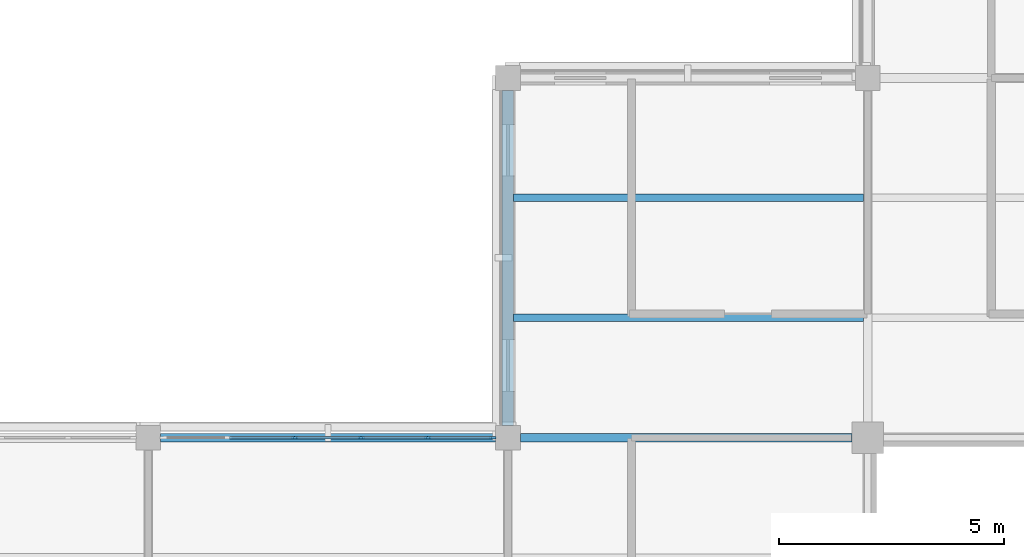
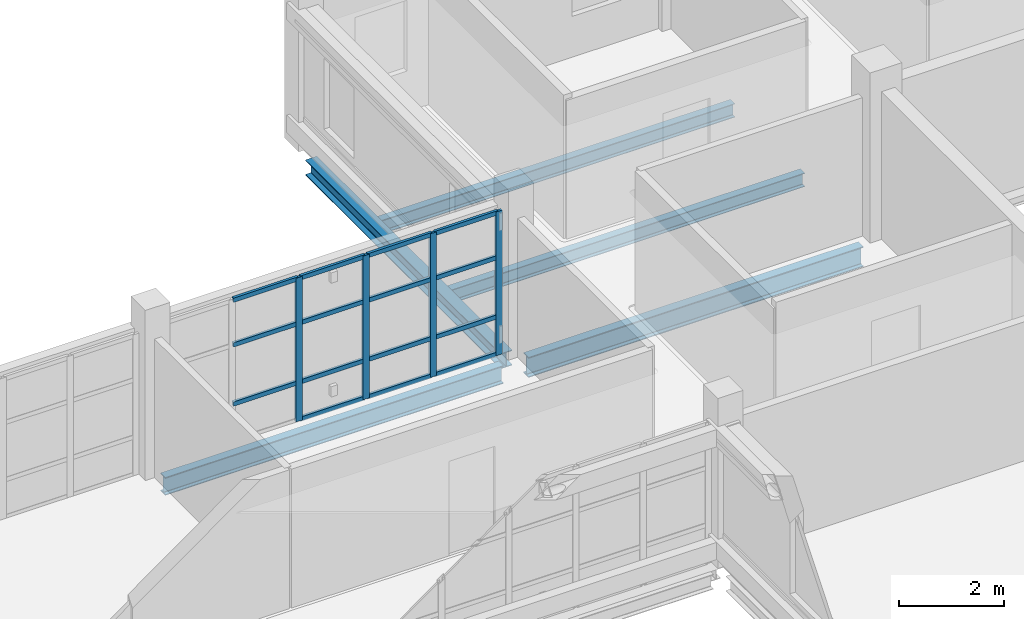
# One storey, part 13 of 92: 19 members, 5 beams, 1 element without a shape of its own.
"""IFC4 building model written with IfcOpenShell, lengths in metres."""

from ifc_helpers import new_model, si_unit, derived_unit, direction, frame, origin, origin_2d, place, context, subcontext, project, spatial, rectangle, i_section, extrude, material, layer, layer_set, material_profile, profile_set, type_object, element, aggregate, save


model = new_model("IFC4")

# Units and contexts
model_context = context("Model", 3, precision=1e-05, world=origin(), true_north=direction((0.0, 1.0)))
body_context = subcontext(model_context, "Body", "Model", "MODEL_VIEW")
ifc_project = project(units=[si_unit("LENGTHUNIT", "METRE"), si_unit("AREAUNIT", "SQUARE_METRE"), si_unit("VOLUMEUNIT", "CUBIC_METRE"), si_unit("PLANEANGLEUNIT", "RADIAN"), si_unit("MASSUNIT", "GRAM", prefix="KILO"), derived_unit("THERMALTRANSMITTANCEUNIT", [(si_unit("MASSUNIT", "GRAM", prefix="KILO"), 1), (si_unit("TIMEUNIT", "SECOND"), -3), (si_unit("THERMODYNAMICTEMPERATUREUNIT", "KELVIN"), -1)])], contexts=[model_context])

# Site, building, storey
site_placement = place(None, origin())
site = spatial("IfcSite", under=ifc_project, at=site_placement, CompositionType="ELEMENT")
building_placement = place(site_placement, origin())
building = spatial("IfcBuilding", under=site, at=building_placement, Name="Veyamyaing Civic Hall", CompositionType="ELEMENT")
storey_placement = place(building_placement, frame((0.0, 0.0, 17.820068359375)))
storey = spatial("IfcBuildingStorey", under=building, at=storey_placement, Name="L04", CompositionType="ELEMENT", Elevation=17.820068359375)

# Beams
ifc_material_1 = material(Name="Steel ASTM A992", Category="steel")
ifc_material_profile_1 = material_profile(ifc_material_1, i_section(OverallWidth=0.194091796875, OverallDepth=0.468994140625, WebThickness=0.0126953125, FlangeThickness=0.0205078125, FilletRadius=0.010009765625, at=origin_2d()), Name="W460X106")
ifc_profile_set_1 = profile_set([ifc_material_profile_1], Name="Steel ASTM A992")
beam_type_1 = type_object("IfcBeamType", Name="B-18", PredefinedType="BEAM", material=ifc_profile_set_1)
beam_1_placement = place(storey_placement, frame((56.27490234375, 56.0, -0.469482421875), z_axis=(1.0, 0.0, 0.0), x_axis=(0.0, 1.0, 0.0)))
element("IfcBeam", 1, at=beam_1_placement, inside=storey, type_object=beam_type_1, Name="Girder B-18 L04 Grid H 8-9", PredefinedType="BEAM", context=body_context, shape_type="SweptSolid", body=[
    extrude(i_section(OverallWidth=0.194091796875, OverallDepth=0.468994140625, WebThickness=0.0126953125, FlangeThickness=0.0205078125, FilletRadius=0.010009765625, at=origin_2d()), origin(), (0.0, 0.0, 1.0), 7.375),
])
ifc_material_profile_2 = material_profile(ifc_material_1, i_section(OverallWidth=0.180908203125, OverallDepth=0.4169921875, WebThickness=0.010986328125, FlangeThickness=0.018310546875, FilletRadius=0.010009765625, at=origin_2d()), Name="W410X85")
ifc_profile_set_2 = profile_set([ifc_material_profile_2], Name="Steel ASTM A992")
beam_type_2 = type_object("IfcBeamType", Name="B-19", PredefinedType="SPANDREL", material=ifc_profile_set_2)
beam_2_placement = place(storey_placement, frame((48.27490234375, 56.0, -0.443603515625), z_axis=(1.0, 0.0, 0.0), x_axis=(0.0, 1.0, 0.0)))
element("IfcBeam", 2, at=beam_2_placement, inside=storey, type_object=beam_type_2, Name="Girder B-19 L04 Grid H 7-8", PredefinedType="SPANDREL", context=body_context, shape_type="SweptSolid", body=[
    extrude(i_section(OverallWidth=0.180908203125, OverallDepth=0.4169921875, WebThickness=0.010986328125, FlangeThickness=0.018310546875, FilletRadius=0.010009765625, at=origin_2d()), origin(), (0.0, 0.0, 1.0), 7.4501953125),
])
ifc_material_profile_3 = material_profile(ifc_material_1, i_section(OverallWidth=0.25390625, OverallDepth=0.35302734375, WebThickness=0.009521484375, FlangeThickness=0.016357421875, FilletRadius=0.011962890625, at=origin_2d()), Name="W360X91")
ifc_profile_set_3 = profile_set([ifc_material_profile_3], Name="Steel ASTM A992")
beam_type_3 = type_object("IfcBeamType", Name="B-20", PredefinedType="SPANDREL", material=ifc_profile_set_3)
beam_3_placement = place(storey_placement, frame((56.0, 56.27490234375, -0.41162109375), z_axis=(0.0, 1.0, 0.0), x_axis=(-1.0, 0.0, 0.0)))
element("IfcBeam", 3, at=beam_3_placement, inside=storey, type_object=beam_type_3, Name="Girder B-20 L04 Grid 8 H-J", PredefinedType="SPANDREL", context=body_context, shape_type="SweptSolid", body=[
    extrude(i_section(OverallWidth=0.25390625, OverallDepth=0.35302734375, WebThickness=0.009521484375, FlangeThickness=0.016357421875, FilletRadius=0.011962890625, at=origin_2d()), origin(), (0.0, 0.0, 1.0), 7.4501953125),
])

# Curtain wall, members
ifc_material_2 = material(Name="Anodised aluminium 6063-T6", Category="aluminium")
ifc_layer = layer(ifc_material_2, 0.139892578125, Name="Anodised aluminium 6063-T6")
ifc_layer_set = layer_set([ifc_layer], Name="Anodised aluminium 6063-T6")
curtain_wall_type = type_object("IfcCurtainWallType", Name="CW-04", PredefinedType="NOTDEFINED", material=ifc_layer_set)
curtain_wall_placement = place(storey_placement, origin())
curtain_wall = element("IfcCurtainWall", 4, at=curtain_wall_placement, inside=storey, type_object=curtain_wall_type, Name="Unitized curtain wall CW-04 L04 N 7.7", PredefinedType="NOTDEFINED")
ifc_material_profile_4 = material_profile(ifc_material_2, rectangle(XDim=0.06005859375, YDim=0.139892578125, at=origin_2d()), Name="ALU-MUL-60X140")
ifc_profile_set_4 = profile_set([ifc_material_profile_4], Name="Anodised aluminium 6063-T6")
member_type_1 = type_object("IfcMemberType", Name="CWM-03", PredefinedType="MULLION", material=ifc_profile_set_4)
member_1_placement = place(storey_placement, frame((51.260986328125, 56.0, 0.0), z_axis=(0.0, 0.0, 1.0), x_axis=(0.0, 1.0, 0.0)))
member_1 = element("IfcMember", 5, at=member_1_placement, type_object=member_type_1, Name="CW-04 mullion 3", PredefinedType="MULLION", context=body_context, shape_type="SweptSolid", body=[
    extrude(rectangle(XDim=0.06005859375, YDim=0.139892578125, at=origin_2d()), origin(), (0.0, 0.0, 1.0), 3.348876953125),
])
member_2_placement = place(storey_placement, frame((52.739013671875, 56.0, 0.0), z_axis=(0.0, 0.0, 1.0), x_axis=(0.0, 1.0, 0.0)))
member_2 = element("IfcMember", 6, at=member_2_placement, type_object=member_type_1, Name="CW-04 mullion 4", PredefinedType="MULLION", context=body_context, shape_type="SweptSolid", body=[
    extrude(rectangle(XDim=0.06005859375, YDim=0.139892578125, at=origin_2d()), origin(), (0.0, 0.0, 1.0), 3.348876953125),
])
member_3_placement = place(storey_placement, frame((54.217041015625, 56.0, 0.0), z_axis=(0.0, 0.0, 1.0), x_axis=(0.0, 1.0, 0.0)))
member_3 = element("IfcMember", 7, at=member_3_placement, type_object=member_type_1, Name="CW-04 mullion 5", PredefinedType="MULLION", context=body_context, shape_type="SweptSolid", body=[
    extrude(rectangle(XDim=0.06005859375, YDim=0.139892578125, at=origin_2d()), origin(), (0.0, 0.0, 1.0), 3.348876953125),
])
member_4_placement = place(storey_placement, frame((55.6650390625, 56.0, 0.0), z_axis=(0.0, 0.0, 1.0), x_axis=(0.0, 1.0, 0.0)))
member_4 = element("IfcMember", 8, at=member_4_placement, type_object=member_type_1, Name="CW-04 mullion 6", PredefinedType="MULLION", context=body_context, shape_type="SweptSolid", body=[
    extrude(rectangle(XDim=0.06005859375, YDim=0.139892578125, at=origin_2d()), origin(), (0.0, 0.0, 1.0), 3.348876953125),
])
ifc_material_profile_5 = material_profile(ifc_material_2, rectangle(XDim=0.06005859375, YDim=0.10009765625, at=origin_2d()), Name="ALU-TRN-60X100")
ifc_profile_set_5 = profile_set([ifc_material_profile_5], Name="Anodised aluminium 6063-T6")
member_type_2 = type_object("IfcMemberType", Name="CWT-03", PredefinedType="USERDEFINED", material=ifc_profile_set_5)
member_5_placement = place(storey_placement, frame((49.81298828125, 56.0, 0.89990234375), z_axis=(1.0, 0.0, 0.0), x_axis=(0.0, 1.0, 0.0)))
member_5 = element("IfcMember", 9, at=member_5_placement, type_object=member_type_2, Name="CW-04 transom 2.2", ObjectType="TRANSOM", PredefinedType="USERDEFINED", context=body_context, shape_type="SweptSolid", body=[
    extrude(rectangle(XDim=0.06005859375, YDim=0.10009765625, at=origin_2d()), origin(), (0.0, 0.0, 1.0), 1.41796875),
])
member_6_placement = place(storey_placement, frame((49.81298828125, 56.0, 2.27734375), z_axis=(1.0, 0.0, 0.0), x_axis=(0.0, 1.0, 0.0)))
member_6 = element("IfcMember", 10, at=member_6_placement, type_object=member_type_2, Name="CW-04 transom 2.3", ObjectType="TRANSOM", PredefinedType="USERDEFINED", context=body_context, shape_type="SweptSolid", body=[
    extrude(rectangle(XDim=0.06005859375, YDim=0.10009765625, at=origin_2d()), origin(), (0.0, 0.0, 1.0), 1.41796875),
])
member_7_placement = place(storey_placement, frame((49.81298828125, 56.0, 3.31884765625), z_axis=(1.0, 0.0, 0.0), x_axis=(0.0, 1.0, 0.0)))
member_7 = element("IfcMember", 11, at=member_7_placement, type_object=member_type_2, Name="CW-04 transom 2.4", ObjectType="TRANSOM", PredefinedType="USERDEFINED", context=body_context, shape_type="SweptSolid", body=[
    extrude(rectangle(XDim=0.06005859375, YDim=0.10009765625, at=origin_2d()), origin(), (0.0, 0.0, 1.0), 1.41796875),
])
member_8_placement = place(storey_placement, frame((51.291015625, 56.0, 0.030029296875), z_axis=(1.0, 0.0, 0.0), x_axis=(0.0, 1.0, 0.0)))
member_8 = element("IfcMember", 12, at=member_8_placement, type_object=member_type_2, Name="CW-04 transom 3.1", ObjectType="TRANSOM", PredefinedType="USERDEFINED", context=body_context, shape_type="SweptSolid", body=[
    extrude(rectangle(XDim=0.06005859375, YDim=0.10009765625, at=origin_2d()), origin(), (0.0, 0.0, 1.0), 1.41796875),
])
member_9_placement = place(storey_placement, frame((51.291015625, 56.0, 0.89990234375), z_axis=(1.0, 0.0, 0.0), x_axis=(0.0, 1.0, 0.0)))
member_9 = element("IfcMember", 13, at=member_9_placement, type_object=member_type_2, Name="CW-04 transom 3.2", ObjectType="TRANSOM", PredefinedType="USERDEFINED", context=body_context, shape_type="SweptSolid", body=[
    extrude(rectangle(XDim=0.06005859375, YDim=0.10009765625, at=origin_2d()), origin(), (0.0, 0.0, 1.0), 1.41796875),
])
member_10_placement = place(storey_placement, frame((51.291015625, 56.0, 2.27734375), z_axis=(1.0, 0.0, 0.0), x_axis=(0.0, 1.0, 0.0)))
member_10 = element("IfcMember", 14, at=member_10_placement, type_object=member_type_2, Name="CW-04 transom 3.3", ObjectType="TRANSOM", PredefinedType="USERDEFINED", context=body_context, shape_type="SweptSolid", body=[
    extrude(rectangle(XDim=0.06005859375, YDim=0.10009765625, at=origin_2d()), origin(), (0.0, 0.0, 1.0), 1.41796875),
])
member_11_placement = place(storey_placement, frame((51.291015625, 56.0, 3.31884765625), z_axis=(1.0, 0.0, 0.0), x_axis=(0.0, 1.0, 0.0)))
member_11 = element("IfcMember", 15, at=member_11_placement, type_object=member_type_2, Name="CW-04 transom 3.4", ObjectType="TRANSOM", PredefinedType="USERDEFINED", context=body_context, shape_type="SweptSolid", body=[
    extrude(rectangle(XDim=0.06005859375, YDim=0.10009765625, at=origin_2d()), origin(), (0.0, 0.0, 1.0), 1.41796875),
])
member_12_placement = place(storey_placement, frame((52.76904296875, 56.0, 0.030029296875), z_axis=(1.0, 0.0, 0.0), x_axis=(0.0, 1.0, 0.0)))
member_12 = element("IfcMember", 16, at=member_12_placement, type_object=member_type_2, Name="CW-04 transom 4.1", ObjectType="TRANSOM", PredefinedType="USERDEFINED", context=body_context, shape_type="SweptSolid", body=[
    extrude(rectangle(XDim=0.06005859375, YDim=0.10009765625, at=origin_2d()), origin(), (0.0, 0.0, 1.0), 1.41796875),
])
member_13_placement = place(storey_placement, frame((52.76904296875, 56.0, 0.89990234375), z_axis=(1.0, 0.0, 0.0), x_axis=(0.0, 1.0, 0.0)))
member_13 = element("IfcMember", 17, at=member_13_placement, type_object=member_type_2, Name="CW-04 transom 4.2", ObjectType="TRANSOM", PredefinedType="USERDEFINED", context=body_context, shape_type="SweptSolid", body=[
    extrude(rectangle(XDim=0.06005859375, YDim=0.10009765625, at=origin_2d()), origin(), (0.0, 0.0, 1.0), 1.41796875),
])
member_14_placement = place(storey_placement, frame((52.76904296875, 56.0, 2.27734375), z_axis=(1.0, 0.0, 0.0), x_axis=(0.0, 1.0, 0.0)))
member_14 = element("IfcMember", 18, at=member_14_placement, type_object=member_type_2, Name="CW-04 transom 4.3", ObjectType="TRANSOM", PredefinedType="USERDEFINED", context=body_context, shape_type="SweptSolid", body=[
    extrude(rectangle(XDim=0.06005859375, YDim=0.10009765625, at=origin_2d()), origin(), (0.0, 0.0, 1.0), 1.41796875),
])
member_15_placement = place(storey_placement, frame((52.76904296875, 56.0, 3.31884765625), z_axis=(1.0, 0.0, 0.0), x_axis=(0.0, 1.0, 0.0)))
member_15 = element("IfcMember", 19, at=member_15_placement, type_object=member_type_2, Name="CW-04 transom 4.4", ObjectType="TRANSOM", PredefinedType="USERDEFINED", context=body_context, shape_type="SweptSolid", body=[
    extrude(rectangle(XDim=0.06005859375, YDim=0.10009765625, at=origin_2d()), origin(), (0.0, 0.0, 1.0), 1.41796875),
])
member_16_placement = place(storey_placement, frame((54.2470703125, 56.0, 0.030029296875), z_axis=(1.0, 0.0, 0.0), x_axis=(0.0, 1.0, 0.0)))
member_16 = element("IfcMember", 20, at=member_16_placement, type_object=member_type_2, Name="CW-04 transom 5.1", ObjectType="TRANSOM", PredefinedType="USERDEFINED", context=body_context, shape_type="SweptSolid", body=[
    extrude(rectangle(XDim=0.06005859375, YDim=0.10009765625, at=origin_2d()), origin(), (0.0, 0.0, 1.0), 1.387939453125),
])
member_17_placement = place(storey_placement, frame((54.2470703125, 56.0, 0.89990234375), z_axis=(1.0, 0.0, 0.0), x_axis=(0.0, 1.0, 0.0)))
member_17 = element("IfcMember", 21, at=member_17_placement, type_object=member_type_2, Name="CW-04 transom 5.2", ObjectType="TRANSOM", PredefinedType="USERDEFINED", context=body_context, shape_type="SweptSolid", body=[
    extrude(rectangle(XDim=0.06005859375, YDim=0.10009765625, at=origin_2d()), origin(), (0.0, 0.0, 1.0), 1.387939453125),
])
member_18_placement = place(storey_placement, frame((54.2470703125, 56.0, 2.27734375), z_axis=(1.0, 0.0, 0.0), x_axis=(0.0, 1.0, 0.0)))
member_18 = element("IfcMember", 22, at=member_18_placement, type_object=member_type_2, Name="CW-04 transom 5.3", ObjectType="TRANSOM", PredefinedType="USERDEFINED", context=body_context, shape_type="SweptSolid", body=[
    extrude(rectangle(XDim=0.06005859375, YDim=0.10009765625, at=origin_2d()), origin(), (0.0, 0.0, 1.0), 1.387939453125),
])
member_19_placement = place(storey_placement, frame((54.2470703125, 56.0, 3.31884765625), z_axis=(1.0, 0.0, 0.0), x_axis=(0.0, 1.0, 0.0)))
member_19 = element("IfcMember", 23, at=member_19_placement, type_object=member_type_2, Name="CW-04 transom 5.4", ObjectType="TRANSOM", PredefinedType="USERDEFINED", context=body_context, shape_type="SweptSolid", body=[
    extrude(rectangle(XDim=0.06005859375, YDim=0.10009765625, at=origin_2d()), origin(), (0.0, 0.0, 1.0), 1.387939453125),
])
aggregate(curtain_wall, [member_1, member_2, member_3, member_4, member_5, member_6, member_7, member_8, member_9, member_10, member_11, member_12, member_13, member_14, member_15, member_16, member_17, member_18, member_19])

# Beams
ifc_material_profile_6 = material_profile(ifc_material_1, i_section(OverallWidth=0.1669921875, OverallDepth=0.318115234375, WebThickness=0.007568359375, FlangeThickness=0.01318359375, FilletRadius=0.010009765625, at=origin_2d()), Name="W310X52")
ifc_profile_set_6 = profile_set([ifc_material_profile_6], Name="Steel ASTM A992")
beam_type_4 = type_object("IfcBeamType", Name="J-04", PredefinedType="JOIST", material=ifc_profile_set_6)
for number, where, z_axis, x_axis, name in (
    (24, (56.125, 58.666748046875, -0.39404296875), (1.0, 0.0, 0.0), (0.0, 1.0, 0.0), "Composite floor joist J-04 L04 8.8.1"),
    (25, (56.125, 61.333251953125, -0.39404296875), (1.0, 0.0, 0.0), (0.0, 1.0, 0.0), "Composite floor joist J-04 L04 8.8.2"),
):
    element("IfcBeam", number, at=place(storey_placement, frame(where, z_axis=z_axis, x_axis=x_axis)), inside=storey, type_object=beam_type_4, Name=name, PredefinedType="JOIST", context=body_context, shape_type="SweptSolid", body=[
        extrude(i_section(OverallWidth=0.1669921875, OverallDepth=0.318115234375, WebThickness=0.007568359375, FlangeThickness=0.01318359375, FilletRadius=0.010009765625, at=origin_2d()), origin(), (0.0, 0.0, 1.0), 7.781005859375),
    ])

save(model, "model.ifc")
